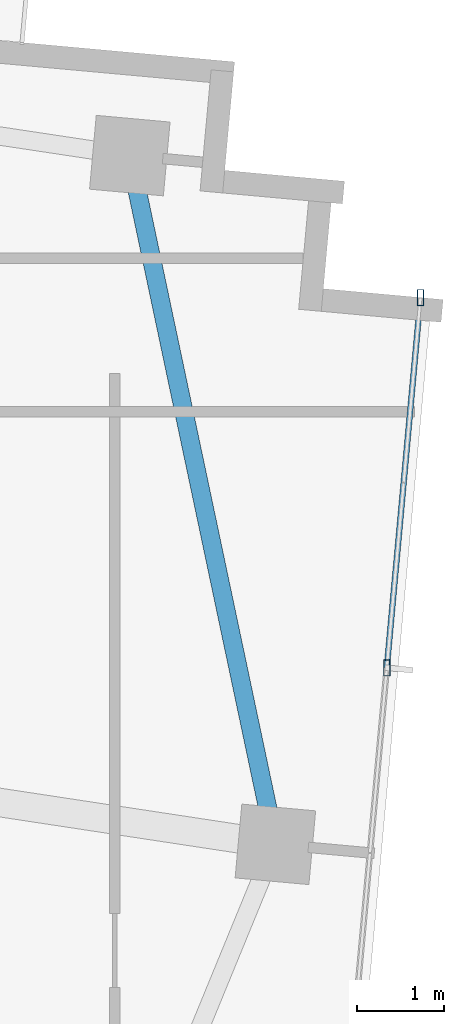
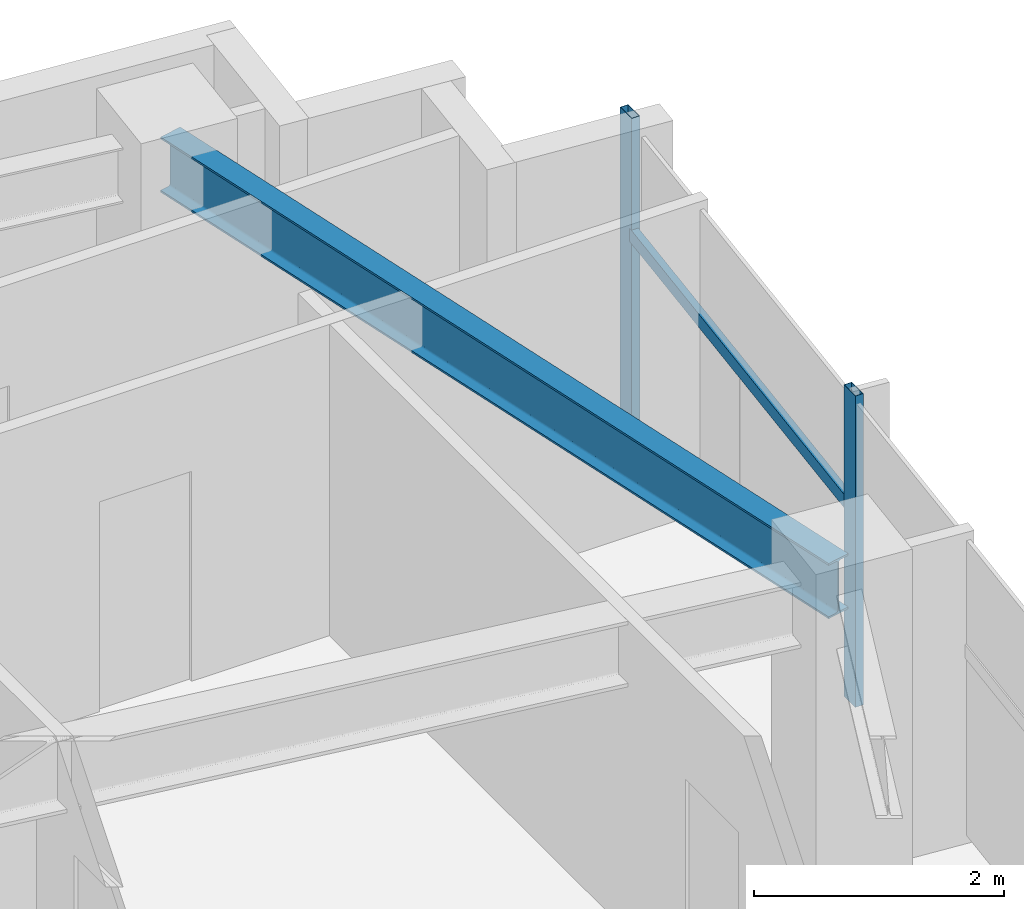
# One storey, part 14 of 22: 3 members, 1 beam, 1 element without a shape of its own.
"""IFC4 building model written with IfcOpenShell, lengths in metres."""

from ifc_helpers import new_model, si_unit, direction, frame, origin, origin_2d, place, context, subcontext, project, spatial, hollow_rectangle, i_section, extrude, source, transform, mapped, material, material_profile, profile_set, type_object, type_shapes, element, aggregate, save


model = new_model("IFC4")

# Units and contexts
model_context = context("Model", 3, precision=1e-05, world=origin(), true_north=direction((0.0, 1.0)))
body_context = subcontext(model_context, "Body", "Model", "MODEL_VIEW")
ifc_project = project(units=[si_unit("LENGTHUNIT", "METRE"), si_unit("AREAUNIT", "SQUARE_METRE"), si_unit("VOLUMEUNIT", "CUBIC_METRE"), si_unit("PLANEANGLEUNIT", "RADIAN"), si_unit("MASSUNIT", "GRAM", prefix="KILO")], contexts=[model_context])

# Site, building, storey
site_placement = place(None, origin())
site = spatial("IfcSite", under=ifc_project, at=site_placement, CompositionType="ELEMENT")
building_placement = place(site_placement, origin())
building = spatial("IfcBuilding", under=site, at=building_placement, Name="Astriad Promenade Condominiums", CompositionType="ELEMENT")
storey_placement = place(building_placement, frame((0.0, 0.0, 252.89990234375)))
storey = spatial("IfcBuildingStorey", under=building, at=storey_placement, Name="L73", CompositionType="ELEMENT", Elevation=252.89990234375)

# Beam
ifc_material_1 = material(Name="Steel ASTM A992 Grade 50", Category="steel")
ifc_material_profile_1 = material_profile(ifc_material_1, i_section(OverallWidth=0.210693359375, OverallDepth=0.53955078125, WebThickness=0.01171875, FlangeThickness=0.018798828125, FilletRadius=0.0166015625, at=origin_2d()), Name="W21X73")
ifc_profile_set_1 = profile_set([ifc_material_profile_1], Name="Steel ASTM A992 Grade 50")
beam_type = type_object("IfcBeamType", Name="STEEL SPANDREL BEAM W21X73", PredefinedType="SPANDREL", material=ifc_profile_set_1)
shared_shape_1 = source(origin(), body_context, "Body", "SweptSolid", [
    extrude(i_section(OverallWidth=0.210693359375, OverallDepth=0.53955078125, WebThickness=0.01171875, FlangeThickness=0.018798828125, FilletRadius=0.0166015625, at=origin_2d()), origin(), (0.0, 0.0, 1.0), 7.99853515625),
])
type_shapes(beam_type, [shared_shape_1])
beam_placement = place(storey_placement, frame((54.88037109375, 16.02880859375, 2.7705078125), z_axis=(-0.20676418926, 0.978390806396, 0.0), x_axis=(-0.978390806396, -0.20676418926, 0.0)))
element("IfcBeam", 1, at=beam_placement, inside=storey, type_object=beam_type, Name="Perimeter Spandrel Beam SP-E2-L73", PredefinedType="SPANDREL", context=body_context, shape_type="MappedRepresentation", body=[
    mapped(shared_shape_1, transform((0.0, 0.0, 0.0), scale=1.0)),
])

# Curtain wall, members
ifc_material_2 = material(Name="Anodised aluminium Black Dark Glass Unitised", Category="aluminium")
curtain_wall_type = type_object("IfcCurtainWallType", Name="CW-B5-DARK", PredefinedType="USERDEFINED", material=ifc_material_2)
curtain_wall_placement = place(storey_placement, origin())
curtain_wall = element("IfcCurtainWall", 2, at=curtain_wall_placement, inside=storey, type_object=curtain_wall_type, Name="CW-L73-E", ObjectType="UNITISED_CURTAIN_WALL", PredefinedType="USERDEFINED")
ifc_material_3 = material(Name="Anodised aluminium 6063-T6 Black", Category="aluminium")
ifc_material_profile_2 = material_profile(ifc_material_3, hollow_rectangle(XDim=0.06494140625, YDim=0.1298828125, WallThickness=0.00390625, at=origin_2d()), Name="ALU-TRN-65X130")
ifc_profile_set_2 = profile_set([ifc_material_profile_2], Name="Anodised aluminium 6063-T6 Black")
member_type_1 = type_object("IfcMemberType", Name="TRN-ALU-TRN-65X130", PredefinedType="USERDEFINED", material=ifc_profile_set_2)
shared_shape_2 = source(origin(), body_context, "Body", "SweptSolid", [
    extrude(hollow_rectangle(XDim=0.06494140625, YDim=0.1298828125, WallThickness=0.00390625, at=origin_2d()), origin(), (0.0, 0.0, 1.0), 4.2666015625),
])
type_shapes(member_type_1, [shared_shape_2])
member_1_placement = place(storey_placement, frame((56.55419921875, 22.2646484375, 1.885009765625), z_axis=(-0.090638931954, -0.99588382054, 0.0), x_axis=(0.99588382054, -0.090638931954, 0.0)))
member_1 = element("IfcMember", 3, at=member_1_placement, type_object=member_type_1, Name="CW-L73-E-TRN-00-0", ObjectType="TRANSOM", PredefinedType="USERDEFINED", context=body_context, shape_type="MappedRepresentation", body=[
    mapped(shared_shape_2, transform((0.0, 0.0, 0.0), scale=1.0)),
])
ifc_material_profile_3 = material_profile(ifc_material_3, hollow_rectangle(XDim=0.074951171875, YDim=0.18505859375, WallThickness=0.00439453125, at=origin_2d()), Name="ALU-MUL-75X185")
ifc_profile_set_3 = profile_set([ifc_material_profile_3], Name="Anodised aluminium 6063-T6 Black")
member_type_2 = type_object("IfcMemberType", Name="MUL-ALU-MUL-75X185", PredefinedType="MULLION", material=ifc_profile_set_3)
shared_shape_3 = source(origin(), body_context, "Body", "SweptSolid", [
    extrude(hollow_rectangle(XDim=0.074951171875, YDim=0.18505859375, WallThickness=0.00439453125, at=origin_2d()), origin(), (0.0, 0.0, 1.0), 3.0400390625),
])
type_shapes(member_type_2, [shared_shape_3])
member_2_placement = place(storey_placement, frame((56.55419921875, 22.2646484375, 0.0), z_axis=(0.0, 0.0, 1.0), x_axis=(1.0, 0.0, 0.0)))
member_2 = element("IfcMember", 4, at=member_2_placement, type_object=member_type_2, Name="CW-L73-E-MUL-00", PredefinedType="MULLION", context=body_context, shape_type="MappedRepresentation", body=[
    mapped(shared_shape_3, transform((0.0, 0.0, 0.0), scale=1.0)),
])
member_3_placement = place(storey_placement, frame((56.16748046875, 18.015625, 0.0), z_axis=(0.0, 0.0, 1.0), x_axis=(1.0, 0.0, 0.0)))
member_3 = element("IfcMember", 5, at=member_3_placement, type_object=member_type_2, Name="CW-L73-E-MUL-01", PredefinedType="MULLION", context=body_context, shape_type="MappedRepresentation", body=[
    mapped(shared_shape_3, transform((0.0, 0.0, 0.0), scale=1.0)),
])
aggregate(curtain_wall, [member_2, member_3, member_1])

save(model, "model.ifc")
